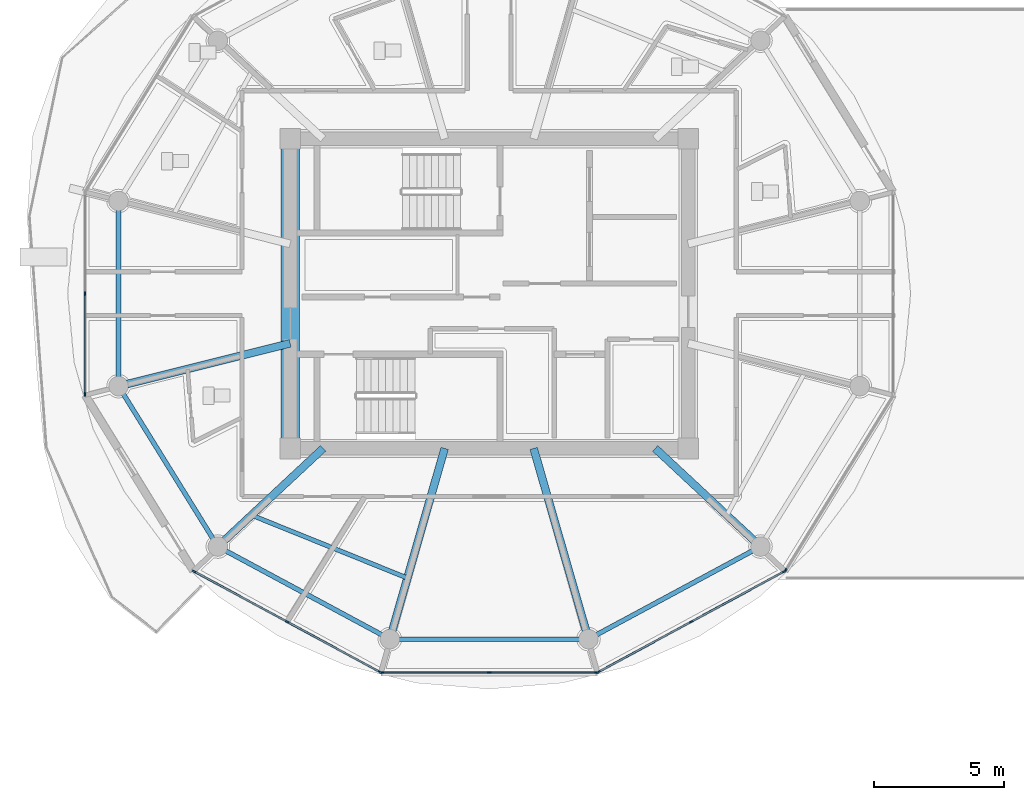
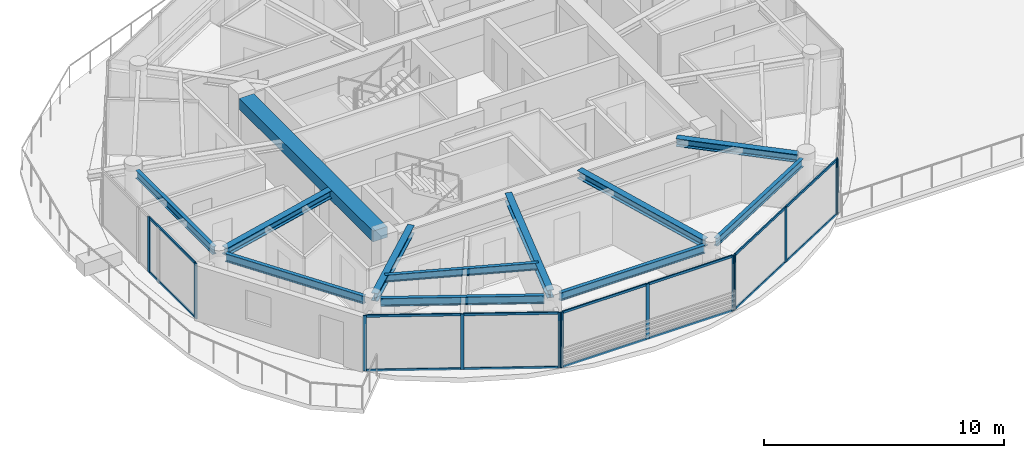
# One storey, part 2 of 30: 26 members, 12 beams, 5 elements without a shape of their own.
"""IFC4 building model written with IfcOpenShell, lengths in metres."""

from ifc_helpers import new_model, si_unit, direction, frame, origin, origin_2d, place, context, subcontext, project, spatial, rectangle, i_section, extrude, source, transform, mapped, material, layer, layer_set, material_profile, profile_set, type_object, type_shapes, element, aggregate, save


model = new_model("IFC4")

# Units and contexts
model_context = context("Model", 3, precision=1e-05, world=origin(), true_north=direction((0.0, 1.0)))
body_context = subcontext(model_context, "Body", "Model", "MODEL_VIEW")
ifc_project = project(units=[si_unit("LENGTHUNIT", "METRE"), si_unit("AREAUNIT", "SQUARE_METRE"), si_unit("VOLUMEUNIT", "CUBIC_METRE"), si_unit("PLANEANGLEUNIT", "RADIAN"), si_unit("MASSUNIT", "GRAM", prefix="KILO")], contexts=[model_context])

# Site, building, storey
site_placement = place(None, origin())
site = spatial("IfcSite", under=ifc_project, at=site_placement, CompositionType="ELEMENT")
building_placement = place(site_placement, origin())
building = spatial("IfcBuilding", under=site, at=building_placement, Name="Norrkilde Senior Care Towers", CompositionType="ELEMENT")
storey_placement = place(building_placement, frame((0.0, 0.0, 232.199951171875)))
storey = spatial("IfcBuildingStorey", under=building, at=storey_placement, Name="L72", CompositionType="ELEMENT", Elevation=232.199951171875)

# Beams
ifc_material_1 = material(Name="Concrete C60/75", Category="concrete")
ifc_material_profile_1 = material_profile(ifc_material_1, rectangle(XDim=0.699951171875, YDim=0.550048828125, at=origin_2d()), Name="RC BM 700x550")
ifc_profile_set_1 = profile_set([ifc_material_profile_1], Name="Concrete C60/75")
beam_type_1 = type_object("IfcBeamType", Name="Core Portal Coupling Beam 700x550", PredefinedType="USERDEFINED", material=ifc_profile_set_1)
shared_shape_1 = source(origin(), body_context, "Body", "SweptSolid", [
    extrude(rectangle(XDim=0.699951171875, YDim=0.550048828125, at=origin_2d()), origin(), (0.0, 0.0, 1.0), 11.14013671875),
])
type_shapes(beam_type_1, [shared_shape_1])
beam_1_placement = place(storey_placement, frame((-35.64990234375, -5.570068359375, 2.53515625), z_axis=(0.0, 1.0, 0.0), x_axis=(-1.0, 0.0, 0.0)))
element("IfcBeam", 1, at=beam_1_placement, inside=storey, type_object=beam_type_1, Name="L72 Core W W Coupling Girder", ObjectType="GIRDER", PredefinedType="USERDEFINED", context=body_context, shape_type="MappedRepresentation", body=[
    mapped(shared_shape_1, transform((0.0, 0.0, 0.0), x_axis=(1.0, 0.0, 0.0), y_axis=(0.0, 1.0, 0.0), z_axis=(0.0, 0.0, 1.0), scale=1.0)),
])
ifc_material_2 = material(Name="Steel S355", Category="steel")
ifc_material_profile_2 = material_profile(ifc_material_2, i_section(OverallWidth=0.179931640625, OverallDepth=0.39990234375, WebThickness=0.008544921875, FlangeThickness=0.013427734375, FilletRadius=0.02099609375, at=origin_2d()), Name="IPE 400")
ifc_profile_set_2 = profile_set([ifc_material_profile_2], Name="Steel S355")
beam_type_2 = type_object("IfcBeamType", Name="Perimeter Ring Spandrel Z4 IPE400", PredefinedType="SPANDREL", material=ifc_profile_set_2)
shared_shape_2 = source(origin(), body_context, "Body", "SweptSolid", [
    extrude(i_section(OverallWidth=0.179931640625, OverallDepth=0.39990234375, WebThickness=0.008544921875, FlangeThickness=0.013427734375, FilletRadius=0.02099609375, at=origin_2d()), origin(), (0.0, 0.0, 1.0), 6.58056640625),
])
beam_2_placement = place(storey_placement, frame((-42.071044921875, -3.843505859375, 2.610107421875), z_axis=(0.526529583789, -0.850156807533, 0.0), x_axis=(0.850156807533, 0.526529583789, 0.0)))
element("IfcBeam", 2, at=beam_2_placement, inside=storey, type_object=beam_type_2, Name="L72 Drum W Perimeter Spandrel 07", PredefinedType="SPANDREL", context=body_context, shape_type="MappedRepresentation", body=[
    mapped(shared_shape_2, transform((0.0, 0.0, 0.0), x_axis=(1.0, 0.0, 0.0), y_axis=(0.0, 1.0, 0.0), z_axis=(0.0, 0.0, 1.0), scale=1.0)),
])
ifc_material_profile_3 = material_profile(ifc_material_2, i_section(OverallWidth=0.300048828125, OverallDepth=0.39990234375, WebThickness=0.013427734375, FlangeThickness=0.02392578125, FilletRadius=0.027099609375, at=origin_2d()), Name="HEB 400")
ifc_profile_set_3 = profile_set([ifc_material_profile_3], Name="Steel S355")
beam_type_3 = type_object("IfcBeamType", Name="Radial Floor Beam Z4 HEB400", PredefinedType="BEAM", material=ifc_profile_set_3)
shared_shape_3 = source(origin(), body_context, "Body", "SweptSolid", [
    extrude(i_section(OverallWidth=0.300048828125, OverallDepth=0.39990234375, WebThickness=0.013427734375, FlangeThickness=0.02392578125, FilletRadius=0.027099609375, at=origin_2d()), origin(), (0.0, 0.0, 1.0), 6.465087890625),
])
beam_3_placement = place(storey_placement, frame((-35.64990234375, -1.910888671875, 2.610107421875), z_axis=(-0.970195788563, -0.242322371758, 0.0), x_axis=(0.242322371758, -0.970195788563, 0.0)))
element("IfcBeam", 3, at=beam_3_placement, inside=storey, type_object=beam_type_3, Name="L72 Drum W Radial Floor Beam 07", PredefinedType="BEAM", context=body_context, shape_type="MappedRepresentation", body=[
    mapped(shared_shape_3, transform((0.0, 0.0, 0.0), x_axis=(1.0, 0.0, 0.0), y_axis=(0.0, 1.0, 0.0), z_axis=(0.0, 0.0, 1.0), scale=1.0)),
])
shared_shape_4 = source(origin(), body_context, "Body", "SweptSolid", [
    extrude(i_section(OverallWidth=0.179931640625, OverallDepth=0.39990234375, WebThickness=0.008544921875, FlangeThickness=0.013427734375, FilletRadius=0.02099609375, at=origin_2d()), origin(), (0.0, 0.0, 1.0), 6.839111328125),
])
for number, where, z_axis, x_axis, name in (
    (4, (-38.134765625, -9.881591796875, 2.610107421875), (0.880563930732, -0.473927382511, 0.0), (0.473927382511, 0.880563930732, 0.0), "L72 Drum W Perimeter Spandrel 08"),
    (5, (-23.887451171875, -13.122802734375, 2.610107421875), (0.880563930732, 0.473927382511, 0.0), (-0.473927382511, 0.880563930732, 0.0), "L72 Drum W Perimeter Spandrel 10"),
):
    element("IfcBeam", number, at=place(storey_placement, frame(where, z_axis=z_axis, x_axis=x_axis)), inside=storey, type_object=beam_type_2, Name=name, PredefinedType="SPANDREL", context=body_context, shape_type="MappedRepresentation", body=[
        mapped(shared_shape_4, transform((0.0, 0.0, 0.0), x_axis=(1.0, 0.0, 0.0), y_axis=(0.0, 1.0, 0.0), z_axis=(0.0, 0.0, 1.0), scale=1.0)),
    ])
shared_shape_5 = source(origin(), body_context, "Body", "SweptSolid", [
    extrude(i_section(OverallWidth=0.300048828125, OverallDepth=0.39990234375, WebThickness=0.013427734375, FlangeThickness=0.02392578125, FilletRadius=0.027099609375, at=origin_2d()), origin(), (0.0, 0.0, 1.0), 5.197998046875),
])
for number, where, z_axis, x_axis, name in (
    (6, (-34.3828125, -5.949951171875, 2.610107421875), (-0.731448749334, -0.681896419625, 0.0), (0.681896419625, -0.731448749334, 0.0), "L72 Drum W Radial Floor Beam 08"),
    (7, (-21.6171875, -5.949951171875, 2.610107421875), (0.731448749334, -0.681896419625, 0.0), (0.681896419625, 0.731448749334, 0.0), "L72 Drum W Radial Floor Beam 11"),
):
    element("IfcBeam", number, at=place(storey_placement, frame(where, z_axis=z_axis, x_axis=x_axis)), inside=storey, type_object=beam_type_3, Name=name, PredefinedType="BEAM", context=body_context, shape_type="MappedRepresentation", body=[
        mapped(shared_shape_5, transform((0.0, 0.0, 0.0), x_axis=(1.0, 0.0, 0.0), y_axis=(0.0, 1.0, 0.0), z_axis=(0.0, 0.0, 1.0), scale=1.0)),
    ])
shared_shape_6 = source(origin(), body_context, "Body", "SweptSolid", [
    extrude(i_section(OverallWidth=0.179931640625, OverallDepth=0.39990234375, WebThickness=0.008544921875, FlangeThickness=0.013427734375, FilletRadius=0.02099609375, at=origin_2d()), origin(), (0.0, 0.0, 1.0), 6.96533203125),
])
beam_4_placement = place(storey_placement, frame((-31.482666015625, -13.281494140625, 2.610107421875), z_axis=(1.0, 0.0, 0.0), x_axis=(0.0, 1.0, 0.0)))
element("IfcBeam", 8, at=beam_4_placement, inside=storey, type_object=beam_type_2, Name="L72 Drum W Perimeter Spandrel 09", PredefinedType="SPANDREL", context=body_context, shape_type="MappedRepresentation", body=[
    mapped(shared_shape_6, transform((0.0, 0.0, 0.0), x_axis=(1.0, 0.0, 0.0), y_axis=(0.0, 1.0, 0.0), z_axis=(0.0, 0.0, 1.0), scale=1.0)),
])
shared_shape_7 = source(origin(), body_context, "Body", "SweptSolid", [
    extrude(i_section(OverallWidth=0.300048828125, OverallDepth=0.39990234375, WebThickness=0.013427734375, FlangeThickness=0.02392578125, FilletRadius=0.027099609375, at=origin_2d()), origin(), (0.0, 0.0, 1.0), 7.29345703125),
])
type_shapes(beam_type_3, [shared_shape_3, shared_shape_5, shared_shape_7])
for number, where, z_axis, x_axis, name in (
    (9, (-29.710205078125, -5.949951171875, 2.610107421875), (-0.276263751906, -0.961081858836, 0.0), (0.961081858836, -0.276263751906, 0.0), "L72 Drum W Radial Floor Beam 09"),
    (10, (-26.289794921875, -5.949951171875, 2.610107421875), (0.276263751906, -0.961081858836, 0.0), (0.961081858836, 0.276263751906, 0.0), "L72 Drum W Radial Floor Beam 10"),
):
    element("IfcBeam", number, at=place(storey_placement, frame(where, z_axis=z_axis, x_axis=x_axis)), inside=storey, type_object=beam_type_3, Name=name, PredefinedType="BEAM", context=body_context, shape_type="MappedRepresentation", body=[
        mapped(shared_shape_7, transform((0.0, 0.0, 0.0), x_axis=(1.0, 0.0, 0.0), y_axis=(0.0, 1.0, 0.0), z_axis=(0.0, 0.0, 1.0), scale=1.0)),
    ])
shared_shape_8 = source(origin(), body_context, "Body", "SweptSolid", [
    extrude(i_section(OverallWidth=0.179931640625, OverallDepth=0.39990234375, WebThickness=0.008544921875, FlangeThickness=0.013427734375, FilletRadius=0.02099609375, at=origin_2d()), origin(), (0.0, 0.0, 1.0), 6.44775390625),
])
type_shapes(beam_type_2, [shared_shape_2, shared_shape_4, shared_shape_6, shared_shape_8])
beam_5_placement = place(storey_placement, frame((-42.247314453125, 3.223876953125, 2.610107421875), z_axis=(0.0, -1.0, 0.0), x_axis=(1.0, 0.0, 0.0)))
element("IfcBeam", 11, at=beam_5_placement, inside=storey, type_object=beam_type_2, Name="L72 Drum W Perimeter Spandrel 06", PredefinedType="SPANDREL", context=body_context, shape_type="MappedRepresentation", body=[
    mapped(shared_shape_8, transform((0.0, 0.0, 0.0), x_axis=(1.0, 0.0, 0.0), y_axis=(0.0, 1.0, 0.0), z_axis=(0.0, 0.0, 1.0), scale=1.0)),
])
ifc_material_profile_4 = material_profile(ifc_material_2, i_section(OverallWidth=0.169921875, OverallDepth=0.360107421875, WebThickness=0.008056640625, FlangeThickness=0.0126953125, FilletRadius=0.01806640625, at=origin_2d()), Name="IPE 360")
ifc_profile_set_4 = profile_set([ifc_material_profile_4], Name="Steel S355")
beam_type_4 = type_object("IfcBeamType", Name="Secondary Floor Joist IPE360", PredefinedType="JOIST", material=ifc_profile_set_4)
shared_shape_9 = source(origin(), body_context, "Body", "SweptSolid", [
    extrude(i_section(OverallWidth=0.169921875, OverallDepth=0.360107421875, WebThickness=0.008056640625, FlangeThickness=0.0126953125, FilletRadius=0.01806640625, at=origin_2d()), origin(), (0.0, 0.0, 1.0), 6.461669921875),
])
type_shapes(beam_type_4, [shared_shape_9])
beam_6_placement = place(storey_placement, frame((-37.134765625, -8.515380859375, 2.630126953125), z_axis=(0.927225942298, -0.374502405772, 0.0), x_axis=(0.374502405772, 0.927225942298, 0.0)))
element("IfcBeam", 12, at=beam_6_placement, inside=storey, type_object=beam_type_4, Name="L72 Drum W Secondary Floor Joist 3", PredefinedType="JOIST", context=body_context, shape_type="MappedRepresentation", body=[
    mapped(shared_shape_9, transform((0.0, 0.0, 0.0), x_axis=(1.0, 0.0, 0.0), y_axis=(0.0, 1.0, 0.0), z_axis=(0.0, 0.0, 1.0), scale=1.0)),
])

# Curtain wall, members
ifc_material_3 = material(Name="Triple Low-E Insulated Glazing", Category="glass")
ifc_layer = layer(ifc_material_3, 0.18505859375)
ifc_layer_set = layer_set([ifc_layer], Name="Triple Low-E Insulated Glazing")
curtain_wall_type = type_object("IfcCurtainWallType", Name="CW6 Zone 4 Crown Pavilion Curtain Wall", PredefinedType="NOTDEFINED", material=ifc_layer_set)
curtain_wall_1_placement = place(storey_placement, origin())
curtain_wall_1 = element("IfcCurtainWall", 13, at=curtain_wall_1_placement, inside=storey, type_object=curtain_wall_type, Name="L72 Drum W Curtain Wall 05", PredefinedType="NOTDEFINED")
ifc_material_4 = material(Name="Anodised Aluminium", Category="aluminium")
ifc_material_profile_5 = material_profile(ifc_material_4, rectangle(XDim=0.06494140625, YDim=0.14990234375, at=origin_2d()), Name="ALU MULL 65x150")
ifc_profile_set_5 = profile_set([ifc_material_profile_5], Name="Anodised Aluminium")
member_type_1 = type_object("IfcMemberType", Name="Curtain Wall Mullion Z3-Z4 65x150", PredefinedType="MULLION", material=ifc_profile_set_5)
shared_shape_10 = source(origin(), body_context, "Body", "SweptSolid", [
    extrude(rectangle(XDim=0.06494140625, YDim=0.14990234375, at=origin_2d()), origin(), (0.0, 0.0, 1.0), 2.81005859375),
])
type_shapes(member_type_1, [shared_shape_10])
member_1_placement = place(storey_placement, frame((-43.531982421875, -3.87060546875, 0.0), z_axis=(0.0, 0.0, 1.0), x_axis=(-1.0, 0.0, 0.0)))
member_1 = element("IfcMember", 14, at=member_1_placement, type_object=member_type_1, Name="CW-6 mullion 1", PredefinedType="MULLION", context=body_context, shape_type="MappedRepresentation", body=[
    mapped(shared_shape_10, transform((0.0, 0.0, 0.0), x_axis=(1.0, 0.0, 0.0), y_axis=(0.0, 1.0, 0.0), z_axis=(0.0, 0.0, 1.0), scale=1.0)),
])
member_2_placement = place(storey_placement, frame((-43.531982421875, 0.0, 0.0), z_axis=(0.0, 0.0, 1.0), x_axis=(-1.0, 0.0, 0.0)))
member_2 = element("IfcMember", 15, at=member_2_placement, type_object=member_type_1, Name="CW-6 mullion 2", PredefinedType="MULLION", context=body_context, shape_type="MappedRepresentation", body=[
    mapped(shared_shape_10, transform((0.0, 0.0, 0.0), x_axis=(1.0, 0.0, 0.0), y_axis=(0.0, 1.0, 0.0), z_axis=(0.0, 0.0, 1.0), scale=1.0)),
])

curtain_wall_2_placement = place(storey_placement, origin())
curtain_wall_2 = element("IfcCurtainWall", 16, at=curtain_wall_2_placement, inside=storey, type_object=curtain_wall_type, Name="L72 Drum W Curtain Wall 07", PredefinedType="NOTDEFINED")
member_3_placement = place(storey_placement, frame((-32.1904296875, -14.55078125, 0.0), z_axis=(0.0, 0.0, 1.0), x_axis=(-0.476132676136, -0.879373455772, 0.0)))
member_3 = element("IfcMember", 17, at=member_3_placement, type_object=member_type_1, Name="CW-6 mullion 1", PredefinedType="MULLION", context=body_context, shape_type="MappedRepresentation", body=[
    mapped(shared_shape_10, transform((0.0, 0.0, 0.0), x_axis=(1.0, 0.0, 0.0), y_axis=(0.0, 1.0, 0.0), z_axis=(0.0, 0.0, 1.0), scale=1.0)),
])
member_4_placement = place(storey_placement, frame((-35.76611328125, -12.61474609375, 0.0), z_axis=(0.0, 0.0, 1.0), x_axis=(-0.476132676136, -0.879373455772, 0.0)))
member_4 = element("IfcMember", 18, at=member_4_placement, type_object=member_type_1, Name="CW-6 mullion 2", PredefinedType="MULLION", context=body_context, shape_type="MappedRepresentation", body=[
    mapped(shared_shape_10, transform((0.0, 0.0, 0.0), x_axis=(1.0, 0.0, 0.0), y_axis=(0.0, 1.0, 0.0), z_axis=(0.0, 0.0, 1.0), scale=1.0)),
])
member_5_placement = place(storey_placement, frame((-39.341796875, -10.6787109375, 0.0), z_axis=(0.0, 0.0, 1.0), x_axis=(-0.476132676136, -0.879373455772, 0.0)))
member_5 = element("IfcMember", 19, at=member_5_placement, type_object=member_type_1, Name="CW-6 mullion 3", PredefinedType="MULLION", context=body_context, shape_type="MappedRepresentation", body=[
    mapped(shared_shape_10, transform((0.0, 0.0, 0.0), x_axis=(1.0, 0.0, 0.0), y_axis=(0.0, 1.0, 0.0), z_axis=(0.0, 0.0, 1.0), scale=1.0)),
])

curtain_wall_3_placement = place(storey_placement, origin())
curtain_wall_3 = element("IfcCurtainWall", 20, at=curtain_wall_3_placement, inside=storey, type_object=curtain_wall_type, Name="L72 Drum W Curtain Wall 08", PredefinedType="NOTDEFINED")
member_6_placement = place(storey_placement, frame((-23.87060546875, -14.566162109375, 0.0), z_axis=(0.0, 0.0, 1.0), x_axis=(0.0, -1.0, 0.0)))
member_6 = element("IfcMember", 21, at=member_6_placement, type_object=member_type_1, Name="CW-6 mullion 1", PredefinedType="MULLION", context=body_context, shape_type="MappedRepresentation", body=[
    mapped(shared_shape_10, transform((0.0, 0.0, 0.0), x_axis=(1.0, 0.0, 0.0), y_axis=(0.0, 1.0, 0.0), z_axis=(0.0, 0.0, 1.0), scale=1.0)),
])
member_7_placement = place(storey_placement, frame((-28.0, -14.566162109375, 0.0), z_axis=(0.0, 0.0, 1.0), x_axis=(0.0, -1.0, 0.0)))
member_7 = element("IfcMember", 22, at=member_7_placement, type_object=member_type_1, Name="CW-6 mullion 2", PredefinedType="MULLION", context=body_context, shape_type="MappedRepresentation", body=[
    mapped(shared_shape_10, transform((0.0, 0.0, 0.0), x_axis=(1.0, 0.0, 0.0), y_axis=(0.0, 1.0, 0.0), z_axis=(0.0, 0.0, 1.0), scale=1.0)),
])
member_8_placement = place(storey_placement, frame((-32.12939453125, -14.566162109375, 0.0), z_axis=(0.0, 0.0, 1.0), x_axis=(0.0, -1.0, 0.0)))
member_8 = element("IfcMember", 23, at=member_8_placement, type_object=member_type_1, Name="CW-6 mullion 3", PredefinedType="MULLION", context=body_context, shape_type="MappedRepresentation", body=[
    mapped(shared_shape_10, transform((0.0, 0.0, 0.0), x_axis=(1.0, 0.0, 0.0), y_axis=(0.0, 1.0, 0.0), z_axis=(0.0, 0.0, 1.0), scale=1.0)),
])

curtain_wall_4_placement = place(storey_placement, origin())
curtain_wall_4 = element("IfcCurtainWall", 24, at=curtain_wall_4_placement, inside=storey, type_object=curtain_wall_type, Name="L72 Drum W Curtain Wall 09", PredefinedType="NOTDEFINED")
member_9_placement = place(storey_placement, frame((-16.658203125, -10.6787109375, 0.0), z_axis=(0.0, 0.0, 1.0), x_axis=(0.476132676136, -0.879373455772, 0.0)))
member_9 = element("IfcMember", 25, at=member_9_placement, type_object=member_type_1, Name="CW-6 mullion 1", PredefinedType="MULLION", context=body_context, shape_type="MappedRepresentation", body=[
    mapped(shared_shape_10, transform((0.0, 0.0, 0.0), x_axis=(1.0, 0.0, 0.0), y_axis=(0.0, 1.0, 0.0), z_axis=(0.0, 0.0, 1.0), scale=1.0)),
])
member_10_placement = place(storey_placement, frame((-20.23388671875, -12.61474609375, 0.0), z_axis=(0.0, 0.0, 1.0), x_axis=(0.476132676136, -0.879373455772, 0.0)))
member_10 = element("IfcMember", 26, at=member_10_placement, type_object=member_type_1, Name="CW-6 mullion 2", PredefinedType="MULLION", context=body_context, shape_type="MappedRepresentation", body=[
    mapped(shared_shape_10, transform((0.0, 0.0, 0.0), x_axis=(1.0, 0.0, 0.0), y_axis=(0.0, 1.0, 0.0), z_axis=(0.0, 0.0, 1.0), scale=1.0)),
])
member_11_placement = place(storey_placement, frame((-23.8095703125, -14.55078125, 0.0), z_axis=(0.0, 0.0, 1.0), x_axis=(0.476132676136, -0.879373455772, 0.0)))
member_11 = element("IfcMember", 27, at=member_11_placement, type_object=member_type_1, Name="CW-6 mullion 3", PredefinedType="MULLION", context=body_context, shape_type="MappedRepresentation", body=[
    mapped(shared_shape_10, transform((0.0, 0.0, 0.0), x_axis=(1.0, 0.0, 0.0), y_axis=(0.0, 1.0, 0.0), z_axis=(0.0, 0.0, 1.0), scale=1.0)),
])

# Curtain wall, member
curtain_wall_5_placement = place(storey_placement, origin())
curtain_wall_5 = element("IfcCurtainWall", 28, at=curtain_wall_5_placement, inside=storey, type_object=curtain_wall_type, Name="L72 Drum W Curtain Wall 10", PredefinedType="NOTDEFINED")
member_12_placement = place(storey_placement, frame((-16.61279296875, -10.635498046875, 0.0), z_axis=(0.0, 0.0, 1.0), x_axis=(0.851562727283, -0.524252726748, 0.0)))
member_12 = element("IfcMember", 29, at=member_12_placement, type_object=member_type_1, Name="CW-6 mullion 3", PredefinedType="MULLION", context=body_context, shape_type="MappedRepresentation", body=[
    mapped(shared_shape_10, transform((0.0, 0.0, 0.0), x_axis=(1.0, 0.0, 0.0), y_axis=(0.0, 1.0, 0.0), z_axis=(0.0, 0.0, 1.0), scale=1.0)),
])
aggregate(curtain_wall_5, [member_12])

# Member
ifc_material_profile_6 = material_profile(ifc_material_4, rectangle(XDim=0.06005859375, YDim=0.1201171875, at=origin_2d()), Name="ALU TRAN 60x120")
ifc_profile_set_6 = profile_set([ifc_material_profile_6], Name="Anodised Aluminium")
member_type_2 = type_object("IfcMemberType", Name="Curtain Wall Transom Typical 60x120", PredefinedType="USERDEFINED", material=ifc_profile_set_6)
shared_shape_11 = source(origin(), body_context, "Body", "SweptSolid", [
    extrude(rectangle(XDim=0.06005859375, YDim=0.1201171875, at=origin_2d()), origin(), (0.0, 0.0, 1.0), 4.001220703125),
])
member_13_placement = place(storey_placement, frame((-32.218994140625, -14.53515625, 0.030029296875), z_axis=(-0.879381388479, 0.476118024861, 0.0), x_axis=(-0.476118024861, -0.879381388479, 0.0)))
member_13 = element("IfcMember", 30, at=member_13_placement, type_object=member_type_2, Name="CW-6 transom 1.1", ObjectType="TRANSOM", PredefinedType="USERDEFINED", context=body_context, shape_type="MappedRepresentation", body=[
    mapped(shared_shape_11, transform((0.0, 0.0, 0.0), x_axis=(1.0, 0.0, 0.0), y_axis=(0.0, 1.0, 0.0), z_axis=(0.0, 0.0, 1.0), scale=1.0)),
])

member_14_placement = place(storey_placement, frame((-32.218994140625, -14.53515625, 2.780029296875), z_axis=(-0.879381388479, 0.476118024861, 0.0), x_axis=(-0.476118024861, -0.879381388479, 0.0)))
member_14 = element("IfcMember", 31, at=member_14_placement, type_object=member_type_2, Name="CW-6 transom 1.2", ObjectType="TRANSOM", PredefinedType="USERDEFINED", context=body_context, shape_type="MappedRepresentation", body=[
    mapped(shared_shape_11, transform((0.0, 0.0, 0.0), x_axis=(1.0, 0.0, 0.0), y_axis=(0.0, 1.0, 0.0), z_axis=(0.0, 0.0, 1.0), scale=1.0)),
])

member_15_placement = place(storey_placement, frame((-35.794677734375, -12.59912109375, 0.030029296875), z_axis=(-0.879381388479, 0.476118024861, 0.0), x_axis=(-0.476118024861, -0.879381388479, 0.0)))
member_15 = element("IfcMember", 32, at=member_15_placement, type_object=member_type_2, Name="CW-6 transom 2.1", ObjectType="TRANSOM", PredefinedType="USERDEFINED", context=body_context, shape_type="MappedRepresentation", body=[
    mapped(shared_shape_11, transform((0.0, 0.0, 0.0), x_axis=(1.0, 0.0, 0.0), y_axis=(0.0, 1.0, 0.0), z_axis=(0.0, 0.0, 1.0), scale=1.0)),
])

member_16_placement = place(storey_placement, frame((-35.794677734375, -12.59912109375, 2.780029296875), z_axis=(-0.879381388479, 0.476118024861, 0.0), x_axis=(-0.476118024861, -0.879381388479, 0.0)))
member_16 = element("IfcMember", 33, at=member_16_placement, type_object=member_type_2, Name="CW-6 transom 2.2", ObjectType="TRANSOM", PredefinedType="USERDEFINED", context=body_context, shape_type="MappedRepresentation", body=[
    mapped(shared_shape_11, transform((0.0, 0.0, 0.0), x_axis=(1.0, 0.0, 0.0), y_axis=(0.0, 1.0, 0.0), z_axis=(0.0, 0.0, 1.0), scale=1.0)),
])

aggregate(curtain_wall_2, [member_3, member_4, member_5, member_13, member_14, member_15, member_16])

member_17_placement = place(storey_placement, frame((-16.686767578125, -10.694091796875, 0.030029296875), z_axis=(-0.879381388479, -0.476118024861, 0.0), x_axis=(0.476118024861, -0.879381388479, 0.0)))
member_17 = element("IfcMember", 34, at=member_17_placement, type_object=member_type_2, Name="CW-6 transom 1.1", ObjectType="TRANSOM", PredefinedType="USERDEFINED", context=body_context, shape_type="MappedRepresentation", body=[
    mapped(shared_shape_11, transform((0.0, 0.0, 0.0), x_axis=(1.0, 0.0, 0.0), y_axis=(0.0, 1.0, 0.0), z_axis=(0.0, 0.0, 1.0), scale=1.0)),
])

member_18_placement = place(storey_placement, frame((-16.686767578125, -10.694091796875, 2.780029296875), z_axis=(-0.879381388479, -0.476118024861, 0.0), x_axis=(0.476118024861, -0.879381388479, 0.0)))
member_18 = element("IfcMember", 35, at=member_18_placement, type_object=member_type_2, Name="CW-6 transom 1.2", ObjectType="TRANSOM", PredefinedType="USERDEFINED", context=body_context, shape_type="MappedRepresentation", body=[
    mapped(shared_shape_11, transform((0.0, 0.0, 0.0), x_axis=(1.0, 0.0, 0.0), y_axis=(0.0, 1.0, 0.0), z_axis=(0.0, 0.0, 1.0), scale=1.0)),
])

member_19_placement = place(storey_placement, frame((-20.262451171875, -12.630126953125, 0.030029296875), z_axis=(-0.879381388479, -0.476118024861, 0.0), x_axis=(0.476118024861, -0.879381388479, 0.0)))
member_19 = element("IfcMember", 36, at=member_19_placement, type_object=member_type_2, Name="CW-6 transom 2.1", ObjectType="TRANSOM", PredefinedType="USERDEFINED", context=body_context, shape_type="MappedRepresentation", body=[
    mapped(shared_shape_11, transform((0.0, 0.0, 0.0), x_axis=(1.0, 0.0, 0.0), y_axis=(0.0, 1.0, 0.0), z_axis=(0.0, 0.0, 1.0), scale=1.0)),
])

member_20_placement = place(storey_placement, frame((-20.262451171875, -12.630126953125, 2.780029296875), z_axis=(-0.879381388479, -0.476118024861, 0.0), x_axis=(0.476118024861, -0.879381388479, 0.0)))
member_20 = element("IfcMember", 37, at=member_20_placement, type_object=member_type_2, Name="CW-6 transom 2.2", ObjectType="TRANSOM", PredefinedType="USERDEFINED", context=body_context, shape_type="MappedRepresentation", body=[
    mapped(shared_shape_11, transform((0.0, 0.0, 0.0), x_axis=(1.0, 0.0, 0.0), y_axis=(0.0, 1.0, 0.0), z_axis=(0.0, 0.0, 1.0), scale=1.0)),
])

aggregate(curtain_wall_4, [member_9, member_10, member_11, member_17, member_18, member_19, member_20])

shared_shape_12 = source(origin(), body_context, "Body", "SweptSolid", [
    extrude(rectangle(XDim=0.06005859375, YDim=0.1201171875, at=origin_2d()), origin(), (0.0, 0.0, 1.0), 4.064453125),
])
member_21_placement = place(storey_placement, frame((-23.903076171875, -14.566162109375, 0.030029296875), z_axis=(-1.0, 0.0, 0.0), x_axis=(0.0, -1.0, 0.0)))
member_21 = element("IfcMember", 38, at=member_21_placement, type_object=member_type_2, Name="CW-6 transom 1.1", ObjectType="TRANSOM", PredefinedType="USERDEFINED", context=body_context, shape_type="MappedRepresentation", body=[
    mapped(shared_shape_12, transform((0.0, 0.0, 0.0), x_axis=(1.0, 0.0, 0.0), y_axis=(0.0, 1.0, 0.0), z_axis=(0.0, 0.0, 1.0), scale=1.0)),
])

member_22_placement = place(storey_placement, frame((-23.903076171875, -14.566162109375, 2.780029296875), z_axis=(-1.0, 0.0, 0.0), x_axis=(0.0, -1.0, 0.0)))
member_22 = element("IfcMember", 39, at=member_22_placement, type_object=member_type_2, Name="CW-6 transom 1.2", ObjectType="TRANSOM", PredefinedType="USERDEFINED", context=body_context, shape_type="MappedRepresentation", body=[
    mapped(shared_shape_12, transform((0.0, 0.0, 0.0), x_axis=(1.0, 0.0, 0.0), y_axis=(0.0, 1.0, 0.0), z_axis=(0.0, 0.0, 1.0), scale=1.0)),
])

member_23_placement = place(storey_placement, frame((-28.032470703125, -14.566162109375, 0.030029296875), z_axis=(-1.0, 0.0, 0.0), x_axis=(0.0, -1.0, 0.0)))
member_23 = element("IfcMember", 40, at=member_23_placement, type_object=member_type_2, Name="CW-6 transom 2.1", ObjectType="TRANSOM", PredefinedType="USERDEFINED", context=body_context, shape_type="MappedRepresentation", body=[
    mapped(shared_shape_12, transform((0.0, 0.0, 0.0), x_axis=(1.0, 0.0, 0.0), y_axis=(0.0, 1.0, 0.0), z_axis=(0.0, 0.0, 1.0), scale=1.0)),
])

member_24_placement = place(storey_placement, frame((-28.032470703125, -14.566162109375, 2.780029296875), z_axis=(-1.0, 0.0, 0.0), x_axis=(0.0, -1.0, 0.0)))
member_24 = element("IfcMember", 41, at=member_24_placement, type_object=member_type_2, Name="CW-6 transom 2.2", ObjectType="TRANSOM", PredefinedType="USERDEFINED", context=body_context, shape_type="MappedRepresentation", body=[
    mapped(shared_shape_12, transform((0.0, 0.0, 0.0), x_axis=(1.0, 0.0, 0.0), y_axis=(0.0, 1.0, 0.0), z_axis=(0.0, 0.0, 1.0), scale=1.0)),
])

aggregate(curtain_wall_3, [member_6, member_7, member_8, member_21, member_22, member_23, member_24])

shared_shape_13 = source(origin(), body_context, "Body", "SweptSolid", [
    extrude(rectangle(XDim=0.06005859375, YDim=0.1201171875, at=origin_2d()), origin(), (0.0, 0.0, 1.0), 3.805419921875),
])
type_shapes(member_type_2, [shared_shape_11, shared_shape_12, shared_shape_13])
member_25_placement = place(storey_placement, frame((-43.531982421875, -3.837890625, 0.030029296875), z_axis=(0.0, 1.0, 0.0), x_axis=(-1.0, 0.0, 0.0)))
member_25 = element("IfcMember", 42, at=member_25_placement, type_object=member_type_2, Name="CW-6 transom 1.1", ObjectType="TRANSOM", PredefinedType="USERDEFINED", context=body_context, shape_type="MappedRepresentation", body=[
    mapped(shared_shape_13, transform((0.0, 0.0, 0.0), x_axis=(1.0, 0.0, 0.0), y_axis=(0.0, 1.0, 0.0), z_axis=(0.0, 0.0, 1.0), scale=1.0)),
])

member_26_placement = place(storey_placement, frame((-43.531982421875, -3.837890625, 2.780029296875), z_axis=(0.0, 1.0, 0.0), x_axis=(-1.0, 0.0, 0.0)))
member_26 = element("IfcMember", 43, at=member_26_placement, type_object=member_type_2, Name="CW-6 transom 1.2", ObjectType="TRANSOM", PredefinedType="USERDEFINED", context=body_context, shape_type="MappedRepresentation", body=[
    mapped(shared_shape_13, transform((0.0, 0.0, 0.0), x_axis=(1.0, 0.0, 0.0), y_axis=(0.0, 1.0, 0.0), z_axis=(0.0, 0.0, 1.0), scale=1.0)),
])

aggregate(curtain_wall_1, [member_1, member_2, member_25, member_26])

save(model, "model.ifc")
